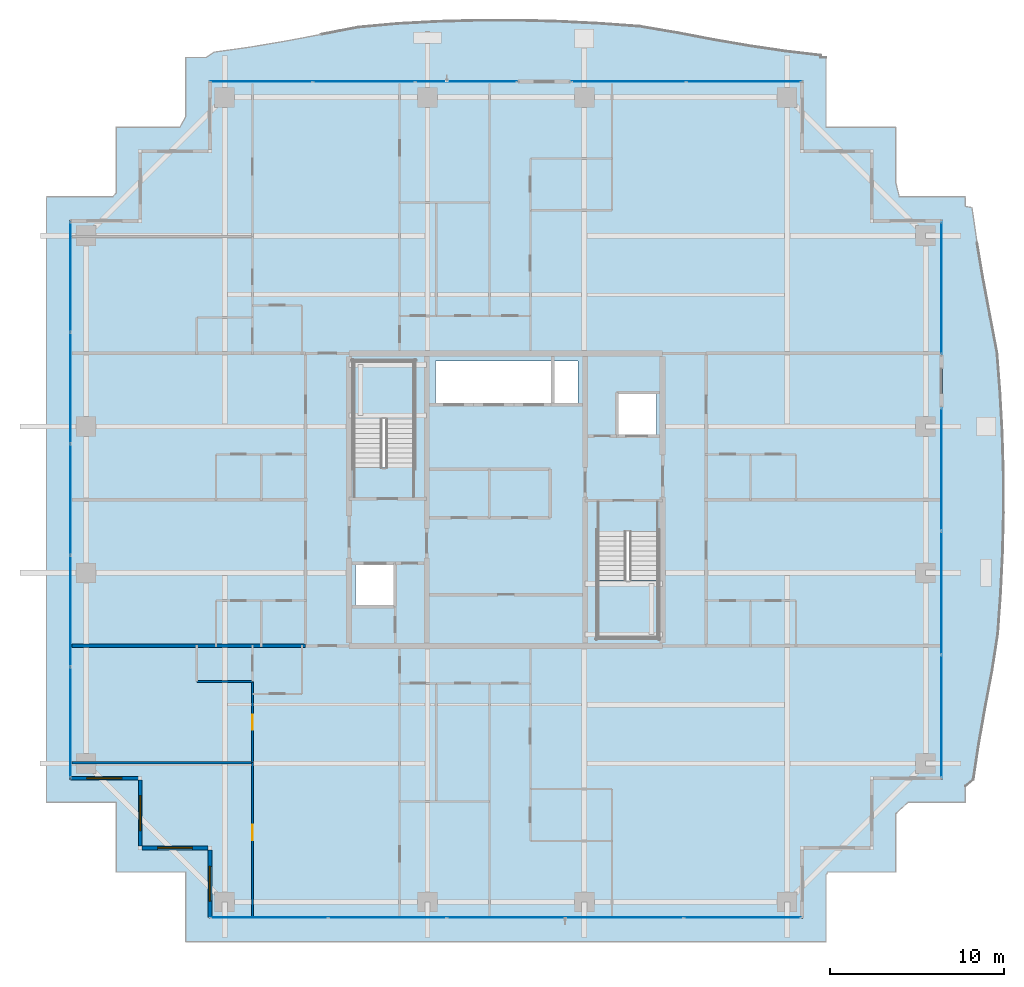
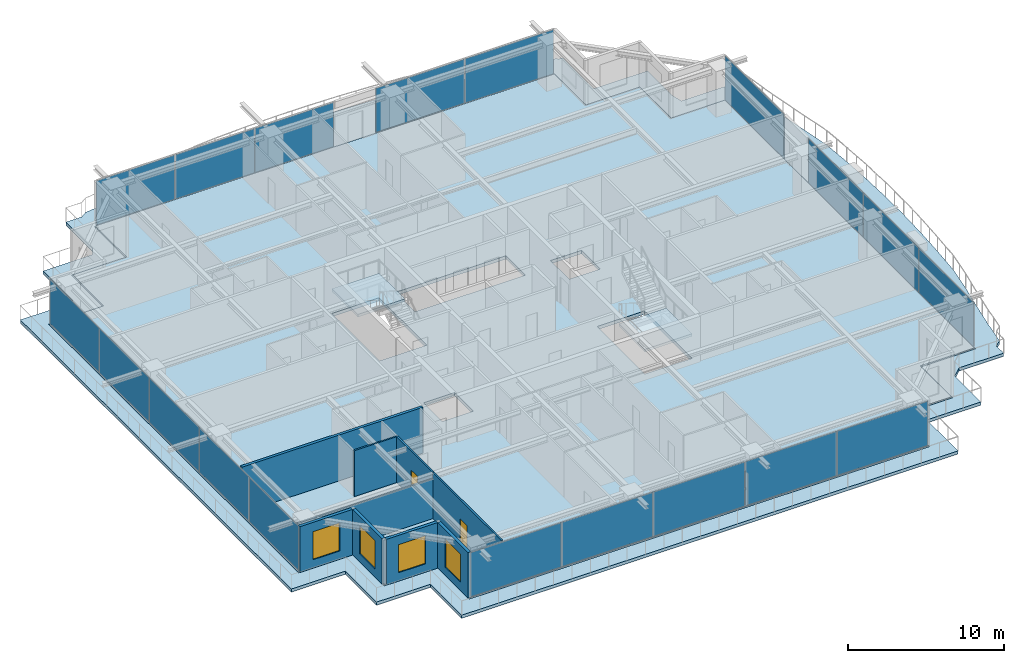
# One storey, part 25 of 38: 19 plates, 9 walls, 4 slabs, 4 windows, 2 doors, 6 openings, 8 elements without a shape of their own.
"""IFC4 building model written with IfcOpenShell, lengths in metres."""

from ifc_helpers import new_model, si_unit, direction, frame, frame_2d, origin, origin_2d, place, context, subcontext, project, spatial, polyline, rectangle, outline, extrude, source, transform, mapped, material, layer, layer_set, type_object, element, fill, aggregate, save


model = new_model("IFC4")

# Units and contexts
model_context = context("Model", 3, precision=1e-05, world=origin(), true_north=direction((0.0, 1.0)))
body_context = subcontext(model_context, "Body", "Model", "MODEL_VIEW")
ifc_project = project(units=[si_unit("LENGTHUNIT", "METRE"), si_unit("AREAUNIT", "SQUARE_METRE"), si_unit("VOLUMEUNIT", "CUBIC_METRE"), si_unit("PLANEANGLEUNIT", "RADIAN"), si_unit("MASSUNIT", "GRAM", prefix="KILO")], contexts=[model_context])

# Site, building, storey
site_placement = place(None, origin())
site = spatial("IfcSite", under=ifc_project, at=site_placement, CompositionType="ELEMENT")
building_placement = place(site_placement, origin())
building = spatial("IfcBuilding", under=site, at=building_placement, Name="Serunith Strait Residences", CompositionType="ELEMENT")
storey_placement = place(building_placement, frame((0.0, 0.0, 264.35009765625)))
storey = spatial("IfcBuildingStorey", under=building, at=storey_placement, Name="L66", CompositionType="ELEMENT", Elevation=264.35009765625)

# Slab
ifc_material_1 = material(Name="Concrete C50/60", Category="concrete")
ifc_layer_1 = layer(ifc_material_1, 0.239990234375, Name="Concrete C50/60")
ifc_layer_set_1 = layer_set([ifc_layer_1], Name="Concrete C50/60")
slab_type_1 = type_object("IfcSlabType", Name="SLB-BALC-240", PredefinedType="FLOOR", material=ifc_layer_set_1)
slab_1_placement = place(storey_placement, frame((0.0, 0.0, -0.2900390625)))
element("IfcSlab", 1, at=slab_1_placement, inside=storey, type_object=slab_type_1, Name="L66 Planted Vertical-Forest Balcony Slab", PredefinedType="FLOOR", context=body_context, shape_type="SweptSolid", body=[
    extrude(outline(polyline([(10.02001953125, 46.580078125), (13.67919921875, 46.580078125), (14.02001953125, 47.19873046875), (14.02001953125, 50.580078125), (15.189697265625, 50.580078125), (15.631103515625, 50.888427734375), (17.655029296875, 51.1728515625), (19.698974609375, 51.515625), (21.781982421875, 51.907470703125), (23.92431640625, 52.32177734375), (26.184814453125, 52.52734375), (28.492431640625, 52.648681640625), (30.82373046875, 52.712890625), (33.164306640625, 52.713623046875), (35.497802734375, 52.6513671875), (37.8095703125, 52.53271484375), (40.088623046875, 52.36962890625), (42.2626953125, 51.996826171875), (44.36181640625, 51.598388671875), (46.416748046875, 51.243896484375), (48.447021484375, 50.946533203125), (50.4677734375, 50.707275390625), (50.466796875, 50.580078125), (50.780029296875, 50.580078125), (50.780029296875, 46.580078125), (54.780029296875, 46.580078125), (54.780029296875, 43.41357421875), (54.985107421875, 42.580078125), (58.780029296875, 42.580078125), (58.780029296875, 42.030517578125), (59.156494140625, 41.96728515625), (59.4482421875, 39.941162109375), (59.795166015625, 37.89306640625), (60.186767578125, 35.80517578125), (60.596435546875, 33.658935546875), (60.770263671875, 31.394287109375), (60.8955078125, 29.094482421875), (60.965087890625, 26.77099609375), (60.972412109375, 24.43798828125), (60.916748046875, 22.110595703125), (60.8037109375, 19.80322265625), (60.64453125, 17.52685546875), (60.30810546875, 15.339111328125), (59.907958984375, 13.23388671875), (59.546142578125, 11.174560546875), (59.237548828125, 9.14208984375), (58.780029296875, 8.75634765625), (58.780029296875, 7.820068359375), (55.479736328125, 7.820068359375), (54.780029296875, 7.16748046875), (54.780029296875, 3.820068359375), (50.881103515625, 3.820068359375), (50.780029296875, 3.665283203125), (50.780029296875, -0.179931640625), (14.02001953125, -0.179931640625), (14.02001953125, 3.820068359375), (10.02001953125, 3.820068359375), (10.02001953125, 7.820068359375), (6.02001953125, 7.820068359375), (6.02001953125, 42.580078125), (9.824951171875, 42.580078125), (10.02001953125, 42.802001953125), (10.02001953125, 46.580078125)]), holes=[polyline([(49.455078125, 1.14501953125), (49.455078125, 5.14501953125), (53.455078125, 5.14501953125), (53.455078125, 9.14501953125), (57.455078125, 9.14501953125), (57.455078125, 41.2548828125), (53.455078125, 41.2548828125), (53.455078125, 45.2548828125), (49.455078125, 45.2548828125), (49.455078125, 49.2548828125), (15.344970703125, 49.2548828125), (15.344970703125, 45.2548828125), (11.344970703125, 45.2548828125), (11.344970703125, 41.2548828125), (7.344970703125, 41.2548828125), (7.344970703125, 9.14501953125), (11.344970703125, 9.14501953125), (11.344970703125, 5.14501953125), (15.344970703125, 5.14501953125), (15.344970703125, 1.14501953125), (49.455078125, 1.14501953125)])]), origin(), (0.0, 0.0, 1.0), 0.239990234375),
])

# Stair, slab
stair_type_1 = type_object("IfcStairType", Name="STR-CORE-1", PredefinedType="HALF_TURN_STAIR", material=ifc_material_1)
stair_1_placement = place(storey_placement, origin())
stair_1 = element("IfcStair", 2, at=stair_1_placement, inside=storey, type_object=stair_type_1, Name="L66 Protected Escape Stair ST-1", PredefinedType="HALF_TURN_STAIR")
ifc_layer_2 = layer(ifc_material_1, 0.199951171875, Name="Concrete C50/60")
ifc_layer_set_2 = layer_set([ifc_layer_2], Name="Concrete C50/60")
slab_type_2 = type_object("IfcSlabType", Name="SLB-LAND-200", PredefinedType="LANDING", material=ifc_layer_set_2)
slab_2_placement = place(storey_placement, frame((0.0, 0.0, 1.724853515625)))
slab_2 = element("IfcSlab", 3, at=slab_2_placement, type_object=slab_type_2, Name="ST-1 landing 1", PredefinedType="LANDING", context=body_context, shape_type="SweptSolid", body=[
    extrude(outline(polyline([(27.14990234375, 29.830078125), (27.14990234375, 33.14990234375), (23.64990234375, 33.14990234375), (23.64990234375, 29.830078125), (27.14990234375, 29.830078125)])), origin(), (0.0, 0.0, 1.0), 0.199951171875),
])
aggregate(stair_1, [slab_2])

stair_type_2 = type_object("IfcStairType", Name="STR-CORE-2", PredefinedType="HALF_TURN_STAIR", material=ifc_material_1)
stair_2_placement = place(storey_placement, origin())
stair_2 = element("IfcStair", 4, at=stair_2_placement, inside=storey, type_object=stair_type_2, Name="L66 Protected Escape Stair ST-2", PredefinedType="HALF_TURN_STAIR")
slab_3_placement = place(storey_placement, frame((0.0, 0.0, 1.724853515625)))
slab_3 = element("IfcSlab", 5, at=slab_3_placement, type_object=slab_type_2, Name="ST-2 landing 1", PredefinedType="LANDING", context=body_context, shape_type="SweptSolid", body=[
    extrude(outline(polyline([(37.64990234375, 20.570068359375), (37.64990234375, 17.25), (41.14990234375, 17.25), (41.14990234375, 20.570068359375), (37.64990234375, 20.570068359375)])), origin(), (0.0, 0.0, 1.0), 0.199951171875),
])
aggregate(stair_2, [slab_3])

# Slab
ifc_material_2 = material(Name="Concrete C60/75", Category="concrete")
ifc_layer_3 = layer(ifc_material_2, 0.260009765625, Name="Concrete C60/75")
ifc_layer_set_3 = layer_set([ifc_layer_3], Name="Concrete C60/75")
slab_type_3 = type_object("IfcSlabType", Name="SLB-TWR-275-Z3", PredefinedType="FLOOR", material=ifc_layer_set_3)
slab_4_placement = place(storey_placement, frame((0.0, 0.0, -0.260009765625)))
element("IfcSlab", 6, at=slab_4_placement, inside=storey, type_object=slab_type_3, Name="L66 Structural Floor Plate", PredefinedType="FLOOR", context=body_context, shape_type="SweptSolid", body=[
    extrude(outline(polyline([(15.39990234375, 5.199951171875), (11.39990234375, 5.199951171875), (11.39990234375, 9.199951171875), (7.39990234375, 9.199951171875), (7.39990234375, 41.199951171875), (11.39990234375, 41.199951171875), (11.39990234375, 45.199951171875), (15.39990234375, 45.199951171875), (15.39990234375, 49.199951171875), (49.39990234375, 49.199951171875), (49.39990234375, 45.199951171875), (53.39990234375, 45.199951171875), (53.39990234375, 41.199951171875), (57.39990234375, 41.199951171875), (57.39990234375, 9.199951171875), (53.39990234375, 9.199951171875), (53.39990234375, 5.199951171875), (49.39990234375, 5.199951171875), (49.39990234375, 1.199951171875), (15.39990234375, 1.199951171875), (15.39990234375, 5.199951171875)]), holes=[polyline([(41.14990234375, 23.3701171875), (37.64990234375, 23.3701171875), (37.64990234375, 17.25), (41.14990234375, 17.25), (41.14990234375, 23.3701171875)]), polyline([(38.75, 31.25), (38.75, 28.85009765625), (41.050048828125, 28.85009765625), (41.050048828125, 31.25), (38.75, 31.25)]), polyline([(36.550048828125, 33.14990234375), (28.35009765625, 33.14990234375), (28.35009765625, 30.64990234375), (36.550048828125, 30.64990234375), (36.550048828125, 33.14990234375)]), polyline([(23.64990234375, 33.14990234375), (23.64990234375, 27.030029296875), (27.14990234375, 27.030029296875), (27.14990234375, 33.14990234375), (23.64990234375, 33.14990234375)]), polyline([(23.75, 21.550048828125), (23.75, 19.14990234375), (26.050048828125, 19.14990234375), (26.050048828125, 21.550048828125), (23.75, 21.550048828125)])]), origin(), (0.0, 0.0, 1.0), 0.260009765625),
])

# Curtain wall, plates
ifc_material_3 = material(Name="Pale-Champagne Anodised Aluminium", Category="aluminium")
ifc_layer_4 = layer(ifc_material_3, 0.199951171875, Name="Pale-Champagne Anodised Aluminium")
ifc_layer_set_4 = layer_set([ifc_layer_4], Name="Pale-Champagne Anodised Aluminium")
curtain_wall_type = type_object("IfcCurtainWallType", Name="CW-SYS4", PredefinedType="NOTDEFINED", material=ifc_layer_set_4)
curtain_wall_1_placement = place(storey_placement, origin())
curtain_wall_1 = element("IfcCurtainWall", 7, at=curtain_wall_1_placement, inside=storey, type_object=curtain_wall_type, Name="L66 W Unitised Fritted Curtain Wall", PredefinedType="NOTDEFINED")
ifc_material_4 = material(Name="Ceramic-Printed Solar-Control Glazing 28mm", Category="glass")
ifc_layer_5 = layer(ifc_material_4, 0.028076171875, Name="Ceramic-Printed Solar-Control Glazing 28mm")
ifc_layer_set_5 = layer_set([ifc_layer_5], Name="Ceramic-Printed Solar-Control Glazing 28mm")
plate_type = type_object("IfcPlateType", Name="CW-SYS4-PNL", PredefinedType="CURTAIN_PANEL", material=ifc_layer_set_5)
shared_shape_1 = source(origin(), body_context, "Body", "SweptSolid", [
    extrude(rectangle(XDim=6.302490234375, YDim=0.028076171875, at=origin_2d()), origin(), (0.0, 0.0, 1.0), 3.455078125),
])
plate_1_placement = place(storey_placement, frame((7.39990234375, 37.983642578125, 0.059814453125), z_axis=(0.0, 0.0, 1.0), x_axis=(0.0, -1.0, 0.0)))
plate_1 = element("IfcPlate", 8, at=plate_1_placement, type_object=plate_type, Name="CW-4 panel 1.1", PredefinedType="CURTAIN_PANEL", context=body_context, shape_type="MappedRepresentation", body=[
    mapped(shared_shape_1, transform((0.0, 0.0, 0.0), scale=1.0)),
])
plate_2_placement = place(storey_placement, frame((7.39990234375, 12.416259765625, 0.059814453125), z_axis=(0.0, 0.0, 1.0), x_axis=(0.0, -1.0, 0.0)))
plate_2 = element("IfcPlate", 9, at=plate_2_placement, type_object=plate_type, Name="CW-4 panel 5.1", PredefinedType="CURTAIN_PANEL", context=body_context, shape_type="MappedRepresentation", body=[
    mapped(shared_shape_1, transform((0.0, 0.0, 0.0), scale=1.0)),
])
shared_shape_2 = source(origin(), body_context, "Body", "SweptSolid", [
    extrude(rectangle(XDim=6.3349609375, YDim=0.028076171875, at=origin_2d()), origin(), (0.0, 0.0, 1.0), 3.455078125),
])
plate_3_placement = place(storey_placement, frame((7.39990234375, 31.60009765625, 0.059814453125), z_axis=(0.0, 0.0, 1.0), x_axis=(0.0, -1.0, 0.0)))
plate_3 = element("IfcPlate", 10, at=plate_3_placement, type_object=plate_type, Name="CW-4 panel 2.1", PredefinedType="CURTAIN_PANEL", context=body_context, shape_type="MappedRepresentation", body=[
    mapped(shared_shape_2, transform((0.0, 0.0, 0.0), scale=1.0)),
])
plate_4_placement = place(storey_placement, frame((7.39990234375, 25.199951171875, 0.059814453125), z_axis=(0.0, 0.0, 1.0), x_axis=(0.0, -1.0, 0.0)))
plate_4 = element("IfcPlate", 11, at=plate_4_placement, type_object=plate_type, Name="CW-4 panel 3.1", PredefinedType="CURTAIN_PANEL", context=body_context, shape_type="MappedRepresentation", body=[
    mapped(shared_shape_2, transform((0.0, 0.0, 0.0), scale=1.0)),
])
plate_5_placement = place(storey_placement, frame((7.39990234375, 18.800048828125, 0.059814453125), z_axis=(0.0, 0.0, 1.0), x_axis=(0.0, -1.0, 0.0)))
plate_5 = element("IfcPlate", 12, at=plate_5_placement, type_object=plate_type, Name="CW-4 panel 4.1", PredefinedType="CURTAIN_PANEL", context=body_context, shape_type="MappedRepresentation", body=[
    mapped(shared_shape_2, transform((0.0, 0.0, 0.0), scale=1.0)),
])
aggregate(curtain_wall_1, [plate_1, plate_3, plate_4, plate_5, plate_2])

curtain_wall_2_placement = place(storey_placement, origin())
curtain_wall_2 = element("IfcCurtainWall", 13, at=curtain_wall_2_placement, inside=storey, type_object=curtain_wall_type, Name="L66 S Unitised Fritted Curtain Wall", PredefinedType="NOTDEFINED")
shared_shape_3 = source(origin(), body_context, "Body", "SweptSolid", [
    extrude(rectangle(XDim=6.702392578125, YDim=0.028076171875, at=origin_2d()), origin(), (0.0, 0.0, 1.0), 3.455078125),
])
plate_6_placement = place(storey_placement, frame((18.816162109375, 1.199951171875, 0.059814453125), z_axis=(0.0, 0.0, 1.0), x_axis=(1.0, 0.0, 0.0)))
plate_6 = element("IfcPlate", 14, at=plate_6_placement, type_object=plate_type, Name="CW-4 panel 1.1", PredefinedType="CURTAIN_PANEL", context=body_context, shape_type="MappedRepresentation", body=[
    mapped(shared_shape_3, transform((0.0, 0.0, 0.0), scale=1.0)),
])
plate_7_placement = place(storey_placement, frame((45.983642578125, 1.199951171875, 0.059814453125), z_axis=(0.0, 0.0, 1.0), x_axis=(1.0, 0.0, 0.0)))
plate_7 = element("IfcPlate", 15, at=plate_7_placement, type_object=plate_type, Name="CW-4 panel 5.1", PredefinedType="CURTAIN_PANEL", context=body_context, shape_type="MappedRepresentation", body=[
    mapped(shared_shape_3, transform((0.0, 0.0, 0.0), scale=1.0)),
])
shared_shape_4 = source(origin(), body_context, "Body", "SweptSolid", [
    extrude(rectangle(XDim=6.735107421875, YDim=0.028076171875, at=origin_2d()), origin(), (0.0, 0.0, 1.0), 3.455078125),
])
plate_8_placement = place(storey_placement, frame((25.60009765625, 1.199951171875, 0.059814453125), z_axis=(0.0, 0.0, 1.0), x_axis=(1.0, 0.0, 0.0)))
plate_8 = element("IfcPlate", 16, at=plate_8_placement, type_object=plate_type, Name="CW-4 panel 2.1", PredefinedType="CURTAIN_PANEL", context=body_context, shape_type="MappedRepresentation", body=[
    mapped(shared_shape_4, transform((0.0, 0.0, 0.0), scale=1.0)),
])
plate_9_placement = place(storey_placement, frame((32.39990234375, 1.199951171875, 0.059814453125), z_axis=(0.0, 0.0, 1.0), x_axis=(1.0, 0.0, 0.0)))
plate_9 = element("IfcPlate", 17, at=plate_9_placement, type_object=plate_type, Name="CW-4 panel 3.1", PredefinedType="CURTAIN_PANEL", context=body_context, shape_type="MappedRepresentation", body=[
    mapped(shared_shape_4, transform((0.0, 0.0, 0.0), scale=1.0)),
])
plate_10_placement = place(storey_placement, frame((39.199951171875, 1.199951171875, 0.059814453125), z_axis=(0.0, 0.0, 1.0), x_axis=(1.0, 0.0, 0.0)))
plate_10 = element("IfcPlate", 18, at=plate_10_placement, type_object=plate_type, Name="CW-4 panel 4.1", PredefinedType="CURTAIN_PANEL", context=body_context, shape_type="MappedRepresentation", body=[
    mapped(shared_shape_4, transform((0.0, 0.0, 0.0), scale=1.0)),
])
aggregate(curtain_wall_2, [plate_6, plate_8, plate_9, plate_10, plate_7])

curtain_wall_3_placement = place(storey_placement, origin())
curtain_wall_3 = element("IfcCurtainWall", 19, at=curtain_wall_3_placement, inside=storey, type_object=curtain_wall_type, Name="L66 N Unitised Fritted Curtain Wall", PredefinedType="NOTDEFINED")
shared_shape_5 = source(origin(), body_context, "Body", "SweptSolid", [
    extrude(rectangle(XDim=6.552490234375, YDim=0.028076171875, at=origin_2d()), origin(), (0.0, 0.0, 1.0), 3.455078125),
])
plate_11_placement = place(storey_placement, frame((46.058837890625, 49.199951171875, 0.059814453125), z_axis=(0.0, 0.0, 1.0), x_axis=(-1.0, 0.0, 0.0)))
plate_11 = element("IfcPlate", 20, at=plate_11_placement, type_object=plate_type, Name="CW-4 panel 1.1", PredefinedType="CURTAIN_PANEL", context=body_context, shape_type="MappedRepresentation", body=[
    mapped(shared_shape_5, transform((0.0, 0.0, 0.0), scale=1.0)),
])
plate_12_placement = place(storey_placement, frame((39.441162109375, 49.199951171875, 0.059814453125), z_axis=(0.0, 0.0, 1.0), x_axis=(-1.0, 0.0, 0.0)))
plate_12 = element("IfcPlate", 21, at=plate_12_placement, type_object=plate_type, Name="CW-4 panel 2.1", PredefinedType="CURTAIN_PANEL", context=body_context, shape_type="MappedRepresentation", body=[
    mapped(shared_shape_5, transform((0.0, 0.0, 0.0), scale=1.0)),
])
aggregate(curtain_wall_3, [plate_11, plate_12])

curtain_wall_4_placement = place(storey_placement, origin())
curtain_wall_4 = element("IfcCurtainWall", 22, at=curtain_wall_4_placement, inside=storey, type_object=curtain_wall_type, Name="L66 N Unitised Fritted Curtain Wall", PredefinedType="NOTDEFINED")
shared_shape_6 = source(origin(), body_context, "Body", "SweptSolid", [
    extrude(rectangle(XDim=5.802490234375, YDim=0.028076171875, at=origin_2d()), origin(), (0.0, 0.0, 1.0), 3.455078125),
])
plate_13_placement = place(storey_placement, frame((30.1337890625, 49.199951171875, 0.059814453125), z_axis=(0.0, 0.0, 1.0), x_axis=(-1.0, 0.0, 0.0)))
plate_13 = element("IfcPlate", 23, at=plate_13_placement, type_object=plate_type, Name="CW-4 panel 1.1", PredefinedType="CURTAIN_PANEL", context=body_context, shape_type="MappedRepresentation", body=[
    mapped(shared_shape_6, transform((0.0, 0.0, 0.0), scale=1.0)),
])
plate_14_placement = place(storey_placement, frame((18.3662109375, 49.199951171875, 0.059814453125), z_axis=(0.0, 0.0, 1.0), x_axis=(-1.0, 0.0, 0.0)))
plate_14 = element("IfcPlate", 24, at=plate_14_placement, type_object=plate_type, Name="CW-4 panel 3.1", PredefinedType="CURTAIN_PANEL", context=body_context, shape_type="MappedRepresentation", body=[
    mapped(shared_shape_6, transform((0.0, 0.0, 0.0), scale=1.0)),
])
shared_shape_7 = source(origin(), body_context, "Body", "SweptSolid", [
    extrude(rectangle(XDim=5.8349609375, YDim=0.028076171875, at=origin_2d()), origin(), (0.0, 0.0, 1.0), 3.455078125),
])
plate_15_placement = place(storey_placement, frame((24.25, 49.199951171875, 0.059814453125), z_axis=(0.0, 0.0, 1.0), x_axis=(-1.0, 0.0, 0.0)))
plate_15 = element("IfcPlate", 25, at=plate_15_placement, type_object=plate_type, Name="CW-4 panel 2.1", PredefinedType="CURTAIN_PANEL", context=body_context, shape_type="MappedRepresentation", body=[
    mapped(shared_shape_7, transform((0.0, 0.0, 0.0), scale=1.0)),
])
aggregate(curtain_wall_4, [plate_13, plate_15, plate_14])

curtain_wall_5_placement = place(storey_placement, origin())
curtain_wall_5 = element("IfcCurtainWall", 26, at=curtain_wall_5_placement, inside=storey, type_object=curtain_wall_type, Name="L66 E Unitised Fritted Curtain Wall", PredefinedType="NOTDEFINED")
shared_shape_8 = source(origin(), body_context, "Body", "SweptSolid", [
    extrude(rectangle(XDim=7.00244140625, YDim=0.028076171875, at=origin_2d()), origin(), (0.0, 0.0, 1.0), 3.455078125),
])
plate_16_placement = place(storey_placement, frame((57.39990234375, 12.766357421875, 0.059814453125), z_axis=(0.0, 0.0, 1.0), x_axis=(0.0, 1.0, 0.0)))
plate_16 = element("IfcPlate", 27, at=plate_16_placement, type_object=plate_type, Name="CW-4 panel 1.1", PredefinedType="CURTAIN_PANEL", context=body_context, shape_type="MappedRepresentation", body=[
    mapped(shared_shape_8, transform((0.0, 0.0, 0.0), scale=1.0)),
])
plate_17_placement = place(storey_placement, frame((57.39990234375, 26.933837890625, 0.059814453125), z_axis=(0.0, 0.0, 1.0), x_axis=(0.0, 1.0, 0.0)))
plate_17 = element("IfcPlate", 28, at=plate_17_placement, type_object=plate_type, Name="CW-4 panel 3.1", PredefinedType="CURTAIN_PANEL", context=body_context, shape_type="MappedRepresentation", body=[
    mapped(shared_shape_8, transform((0.0, 0.0, 0.0), scale=1.0)),
])
shared_shape_9 = source(origin(), body_context, "Body", "SweptSolid", [
    extrude(rectangle(XDim=7.034912109375, YDim=0.028076171875, at=origin_2d()), origin(), (0.0, 0.0, 1.0), 3.455078125),
])
plate_18_placement = place(storey_placement, frame((57.39990234375, 19.85009765625, 0.059814453125), z_axis=(0.0, 0.0, 1.0), x_axis=(0.0, 1.0, 0.0)))
plate_18 = element("IfcPlate", 29, at=plate_18_placement, type_object=plate_type, Name="CW-4 panel 2.1", PredefinedType="CURTAIN_PANEL", context=body_context, shape_type="MappedRepresentation", body=[
    mapped(shared_shape_9, transform((0.0, 0.0, 0.0), scale=1.0)),
])
aggregate(curtain_wall_5, [plate_16, plate_18, plate_17])

# Curtain wall, plate
curtain_wall_6_placement = place(storey_placement, origin())
curtain_wall_6 = element("IfcCurtainWall", 30, at=curtain_wall_6_placement, inside=storey, type_object=curtain_wall_type, Name="L66 E Unitised Fritted Curtain Wall", PredefinedType="NOTDEFINED")
shared_shape_10 = source(origin(), body_context, "Body", "SweptSolid", [
    extrude(rectangle(XDim=7.570068359375, YDim=0.028076171875, at=origin_2d()), origin(), (0.0, 0.0, 1.0), 3.455078125),
])
plate_19_placement = place(storey_placement, frame((57.39990234375, 37.35009765625, 0.059814453125), z_axis=(0.0, 0.0, 1.0), x_axis=(0.0, 1.0, 0.0)))
plate_19 = element("IfcPlate", 31, at=plate_19_placement, type_object=plate_type, Name="CW-4 panel 1.1", PredefinedType="CURTAIN_PANEL", context=body_context, shape_type="MappedRepresentation", body=[
    mapped(shared_shape_10, transform((0.0, 0.0, 0.0), scale=1.0)),
])
aggregate(curtain_wall_6, [plate_19])

# Wall, opening, window
ifc_material_5 = material(Name="Pale-Champagne Aluminium Insulated Panel", Category="aluminium")
ifc_layer_6 = layer(ifc_material_5, 0.219970703125, Name="Pale-Champagne Aluminium Insulated Panel")
ifc_layer_set_6 = layer_set([ifc_layer_6], Name="Pale-Champagne Aluminium Insulated Panel")
wall_type_1 = type_object("IfcWallType", Name="EW-ALUM-220", PredefinedType="ELEMENTEDWALL", material=ifc_layer_set_6)
wall_1_placement = place(storey_placement, frame((7.39990234375, 9.199951171875, 0.0), z_axis=(0.0, 0.0, 1.0), x_axis=(1.0, 0.0, 0.0)))
wall_1 = element("IfcWall", 32, at=wall_1_placement, inside=storey, type_object=wall_type_1, Name="L66 Girih Serrated Corner Wall 17", PredefinedType="ELEMENTEDWALL", context=body_context, shape_type="SweptSolid", body=[
    extrude(rectangle(XDim=3.89013671875, YDim=0.219970703125, at=frame_2d((1.945068359375, 0.0))), origin(), (0.0, 0.0, 1.0), 3.574951171875),
])
opening_1_placement = place(wall_1_placement, frame((0.945068359375, 0.0, 0.64990234375)))
opening_1 = element("IfcOpeningElement", 33, at=opening_1_placement, cuts=wall_1, Name="Opening W-04", PredefinedType="OPENING", context=body_context, shape_type="SweptSolid", body=[
    extrude(rectangle(XDim=2.0, YDim=2.199951171875, at=frame_2d((1.0, 1.10009765625))), frame((0.0, 0.1201171875, 0.0), z_axis=(0.0, -1.0, 0.0), x_axis=(1.0, 0.0, 0.0)), (0.0, 0.0, 1.0), 0.239990234375),
])
ifc_material_6 = material(Name="Ceramic-Fritted Operable Aluminium Window Glass", Category="aluminium")
window_type = type_object("IfcWindowType", Name="WIN-C4", PartitioningType="TRIPLE_PANEL_VERTICAL", PredefinedType="WINDOW", material=ifc_material_6)
shared_shape_11 = source(origin(), body_context, "Body", "SweptSolid", [
    extrude(rectangle(XDim=2.0, YDim=2.199951171875, at=frame_2d((1.0, 1.10009765625))), frame((0.0, 0.030029296875, 0.0), z_axis=(0.0, -1.0, 0.0), x_axis=(1.0, 0.0, 0.0)), (0.0, 0.0, 1.0), 0.06005859375),
])
window_1_placement = place(opening_1_placement, origin())
window_1 = element("IfcWindow", 34, at=window_1_placement, inside=storey, type_object=window_type, Name="L66 Corner Operable Fritted Window 17", OverallHeight=2.199951171875, OverallWidth=2.0, PartitioningType="SINGLE_PANEL", PredefinedType="WINDOW", context=body_context, shape_type="MappedRepresentation", body=[
    mapped(shared_shape_11, transform((0.0, 0.0, 0.0), scale=1.0)),
])
fill(opening_1, window_1)

wall_2_placement = place(storey_placement, frame((11.39990234375, 9.090087890625, 0.0), z_axis=(0.0, 0.0, 1.0), x_axis=(0.0, -1.0, 0.0)))
wall_2 = element("IfcWall", 35, at=wall_2_placement, inside=storey, type_object=wall_type_1, Name="L66 Girih Serrated Corner Wall 18", PredefinedType="ELEMENTEDWALL", context=body_context, shape_type="SweptSolid", body=[
    extrude(rectangle(XDim=3.780029296875, YDim=0.219970703125, at=frame_2d((1.89013671875, 0.0))), origin(), (0.0, 0.0, 1.0), 3.574951171875),
])
opening_2_placement = place(wall_2_placement, frame((0.889892578125, 0.0, 0.64990234375)))
opening_2 = element("IfcOpeningElement", 36, at=opening_2_placement, cuts=wall_2, Name="Opening W-04", PredefinedType="OPENING", context=body_context, shape_type="SweptSolid", body=[
    extrude(rectangle(XDim=2.0, YDim=2.199951171875, at=frame_2d((1.0, 1.10009765625))), frame((0.0, 0.1201171875, 0.0), z_axis=(0.0, -1.0, 0.0), x_axis=(1.0, 0.0, 0.0)), (0.0, 0.0, 1.0), 0.239990234375),
])
window_2_placement = place(opening_2_placement, origin())
window_2 = element("IfcWindow", 37, at=window_2_placement, inside=storey, type_object=window_type, Name="L66 Corner Operable Fritted Window 18", OverallHeight=2.199951171875, OverallWidth=2.0, PartitioningType="SINGLE_PANEL", PredefinedType="WINDOW", context=body_context, shape_type="MappedRepresentation", body=[
    mapped(shared_shape_11, transform((0.0, 0.0, 0.0), scale=1.0)),
])
fill(opening_2, window_2)

wall_3_placement = place(storey_placement, frame((11.510009765625, 5.199951171875, 0.0), z_axis=(0.0, 0.0, 1.0), x_axis=(1.0, 0.0, 0.0)))
wall_3 = element("IfcWall", 38, at=wall_3_placement, inside=storey, type_object=wall_type_1, Name="L66 Girih Serrated Corner Wall 19", PredefinedType="ELEMENTEDWALL", context=body_context, shape_type="SweptSolid", body=[
    extrude(rectangle(XDim=3.780029296875, YDim=0.219970703125, at=frame_2d((1.89013671875, 0.0))), origin(), (0.0, 0.0, 1.0), 3.574951171875),
])
opening_3_placement = place(wall_3_placement, frame((0.889892578125, 0.0, 0.64990234375)))
opening_3 = element("IfcOpeningElement", 39, at=opening_3_placement, cuts=wall_3, Name="Opening W-04", PredefinedType="OPENING", context=body_context, shape_type="SweptSolid", body=[
    extrude(rectangle(XDim=2.0, YDim=2.199951171875, at=frame_2d((1.0, 1.10009765625))), frame((0.0, 0.1201171875, 0.0), z_axis=(0.0, -1.0, 0.0), x_axis=(1.0, 0.0, 0.0)), (0.0, 0.0, 1.0), 0.239990234375),
])
window_3_placement = place(opening_3_placement, origin())
window_3 = element("IfcWindow", 40, at=window_3_placement, inside=storey, type_object=window_type, Name="L66 Corner Operable Fritted Window 19", OverallHeight=2.199951171875, OverallWidth=2.0, PartitioningType="SINGLE_PANEL", PredefinedType="WINDOW", context=body_context, shape_type="MappedRepresentation", body=[
    mapped(shared_shape_11, transform((0.0, 0.0, 0.0), scale=1.0)),
])
fill(opening_3, window_3)

wall_4_placement = place(storey_placement, frame((15.39990234375, 5.090087890625, 0.0), z_axis=(0.0, 0.0, 1.0), x_axis=(0.0, -1.0, 0.0)))
wall_4 = element("IfcWall", 41, at=wall_4_placement, inside=storey, type_object=wall_type_1, Name="L66 Girih Serrated Corner Wall 20", PredefinedType="ELEMENTEDWALL", context=body_context, shape_type="SweptSolid", body=[
    extrude(rectangle(XDim=3.89013671875, YDim=0.219970703125, at=frame_2d((1.945068359375, 0.0))), origin(), (0.0, 0.0, 1.0), 3.574951171875),
])
opening_4_placement = place(wall_4_placement, frame((0.945068359375, 0.0, 0.64990234375)))
opening_4 = element("IfcOpeningElement", 42, at=opening_4_placement, cuts=wall_4, Name="Opening W-04", PredefinedType="OPENING", context=body_context, shape_type="SweptSolid", body=[
    extrude(rectangle(XDim=2.0, YDim=2.199951171875, at=frame_2d((1.0, 1.10009765625))), frame((0.0, 0.1201171875, 0.0), z_axis=(0.0, -1.0, 0.0), x_axis=(1.0, 0.0, 0.0)), (0.0, 0.0, 1.0), 0.239990234375),
])
window_4_placement = place(opening_4_placement, origin())
window_4 = element("IfcWindow", 43, at=window_4_placement, inside=storey, type_object=window_type, Name="L66 Corner Operable Fritted Window 20", OverallHeight=2.199951171875, OverallWidth=2.0, PartitioningType="SINGLE_PANEL", PredefinedType="WINDOW", context=body_context, shape_type="MappedRepresentation", body=[
    mapped(shared_shape_11, transform((0.0, 0.0, 0.0), scale=1.0)),
])
fill(opening_4, window_4)

# Wall, opening, door
ifc_material_7 = material(Name="Lightweight steel-stud gypsum partition", Category="steel")
ifc_layer_7 = layer(ifc_material_7, 0.1201171875, Name="Lightweight steel-stud gypsum partition")
ifc_layer_set_7 = layer_set([ifc_layer_7], Name="Lightweight steel-stud gypsum partition")
wall_type_2 = type_object("IfcWallType", Name="IW-PART-120", PredefinedType="PARTITIONING", material=ifc_layer_set_7)
wall_5_placement = place(storey_placement, frame((17.85009765625, 1.294921875, 0.0), z_axis=(0.0, 0.0, 1.0), x_axis=(0.0, 1.0, 0.0)))
wall_5 = element("IfcWall", 44, at=wall_5_placement, inside=storey, type_object=wall_type_2, Name="L66 Partition Wall 032", PredefinedType="PARTITIONING", context=body_context, shape_type="SweptSolid", body=[
    extrude(rectangle(XDim=8.799072265625, YDim=0.1201171875, at=frame_2d((4.3994140625, 0.0))), origin(), (0.0, 0.0, 1.0), 3.58984375),
])
opening_5_placement = place(wall_5_placement, frame((4.343994140625, 0.0, 0.0)))
opening_5 = element("IfcOpeningElement", 45, at=opening_5_placement, cuts=wall_5, Name="Opening D-RM900", PredefinedType="OPENING", context=body_context, shape_type="SweptSolid", body=[
    extrude(rectangle(XDim=0.89990234375, YDim=2.10009765625, at=frame_2d((0.449951171875, 1.050048828125))), frame((0.0, 0.070068359375, 0.0), z_axis=(0.0, -1.0, 0.0), x_axis=(1.0, 0.0, 0.0)), (0.0, 0.0, 1.0), 0.14013671875),
])
ifc_material_8 = material(Name="Engineered timber flush bedroom door", Category="wood")
door_type_1 = type_object("IfcDoorType", Name="ID-ROOM-900", OperationType="NOTDEFINED", PredefinedType="DOOR", material=ifc_material_8)
shared_shape_12 = source(origin(), body_context, "Body", "SweptSolid", [
    extrude(rectangle(XDim=0.89990234375, YDim=2.10009765625, at=frame_2d((0.449951171875, 1.050048828125))), frame((0.0, 0.02490234375, 0.0), z_axis=(0.0, -1.0, 0.0), x_axis=(1.0, 0.0, 0.0)), (0.0, 0.0, 1.0), 0.050048828125),
])
door_1_placement = place(opening_5_placement, origin())
door_1 = element("IfcDoor", 46, at=door_1_placement, inside=storey, type_object=door_type_1, Name="L66 Master Bedroom 1 6601 Door", OperationType="SINGLE_SWING_LEFT", OverallHeight=2.10009765625, OverallWidth=0.89990234375, PredefinedType="DOOR", context=body_context, shape_type="MappedRepresentation", body=[
    mapped(shared_shape_12, transform((0.0, 0.0, 0.0), scale=1.0)),
])
fill(opening_5, door_1)

# Walls
wall_6_placement = place(storey_placement, frame((7.4951171875, 10.093994140625, 0.0), z_axis=(0.0, 0.0, 1.0), x_axis=(1.0, 0.0, 0.0)))
element("IfcWall", 47, at=wall_6_placement, inside=storey, type_object=wall_type_2, Name="L66 Partition Wall 033", PredefinedType="PARTITIONING", context=body_context, shape_type="SweptSolid", body=[
    extrude(rectangle(XDim=10.35498046875, YDim=0.1201171875, at=frame_2d((5.177490234375, 0.0))), origin(), (0.0, 0.0, 1.0), 3.121826171875),
])
wall_7_placement = place(storey_placement, frame((14.64990234375, 14.75, 0.0), z_axis=(0.0, 0.0, 1.0), x_axis=(1.0, 0.0, 0.0)))
element("IfcWall", 48, at=wall_7_placement, inside=storey, type_object=wall_type_2, Name="L66 Partition Wall 034", PredefinedType="PARTITIONING", context=body_context, shape_type="SweptSolid", body=[
    extrude(rectangle(XDim=3.2001953125, YDim=0.1201171875, at=frame_2d((1.60009765625, 0.0))), origin(), (0.0, 0.0, 1.0), 3.58984375),
])

# Wall, opening, door
wall_8_placement = place(storey_placement, frame((17.85009765625, 10.095947265625, 0.0), z_axis=(0.0, 0.0, 1.0), x_axis=(0.0, 1.0, 0.0)))
wall_8 = element("IfcWall", 49, at=wall_8_placement, inside=storey, type_object=wall_type_2, Name="L66 Partition Wall 036", PredefinedType="PARTITIONING", context=body_context, shape_type="SweptSolid", body=[
    extrude(rectangle(XDim=4.654052734375, YDim=0.1201171875, at=frame_2d((2.3271484375, 0.0))), origin(), (0.0, 0.0, 1.0), 3.58984375),
])
opening_6_placement = place(wall_8_placement, frame((1.902099609375, 0.0, 0.0)))
opening_6 = element("IfcOpeningElement", 50, at=opening_6_placement, cuts=wall_8, Name="Opening D-RM850", PredefinedType="OPENING", context=body_context, shape_type="SweptSolid", body=[
    extrude(rectangle(XDim=0.85009765625, YDim=2.10009765625, at=frame_2d((0.425048828125, 1.050048828125))), frame((0.0, 0.070068359375, 0.0), z_axis=(0.0, -1.0, 0.0), x_axis=(1.0, 0.0, 0.0)), (0.0, 0.0, 1.0), 0.14013671875),
])
ifc_material_9 = material(Name="Engineered timber flush study and kitchen door", Category="wood")
door_type_2 = type_object("IfcDoorType", Name="ID-ROOM-850", OperationType="NOTDEFINED", PredefinedType="DOOR", material=ifc_material_9)
shared_shape_13 = source(origin(), body_context, "Body", "SweptSolid", [
    extrude(rectangle(XDim=0.85009765625, YDim=2.10009765625, at=frame_2d((0.425048828125, 1.050048828125))), frame((0.0, 0.02490234375, 0.0), z_axis=(0.0, -1.0, 0.0), x_axis=(1.0, 0.0, 0.0)), (0.0, 0.0, 1.0), 0.050048828125),
])
door_2_placement = place(opening_6_placement, origin())
door_2 = element("IfcDoor", 51, at=door_2_placement, inside=storey, type_object=door_type_2, Name="L66 Walk-in Wardrobe 6601 Door", OperationType="SINGLE_SWING_RIGHT", OverallHeight=2.10009765625, OverallWidth=0.85009765625, PredefinedType="DOOR", context=body_context, shape_type="MappedRepresentation", body=[
    mapped(shared_shape_13, transform((0.0, 0.0, 0.0), scale=1.0)),
])
fill(opening_6, door_2)

# Wall
ifc_material_10 = material(Name="Twin-stud acoustic gypsum board partition")
ifc_layer_8 = layer(ifc_material_10, 0.199951171875, Name="Twin-stud acoustic gypsum board partition")
ifc_layer_set_8 = layer_set([ifc_layer_8], Name="Twin-stud acoustic gypsum board partition")
wall_type_3 = type_object("IfcWallType", Name="IW-PARTY-200", PredefinedType="PARTITIONING", material=ifc_layer_set_8)
wall_9_placement = place(storey_placement, frame((7.48193359375, 16.800048828125, 0.0), z_axis=(0.0, 0.0, 1.0), x_axis=(1.0, 0.0, 0.0)))
element("IfcWall", 52, at=wall_9_placement, inside=storey, type_object=wall_type_3, Name="L66 Partition Wall 020", PredefinedType="PARTITIONING", context=body_context, shape_type="SweptSolid", body=[
    extrude(rectangle(XDim=13.41796875, YDim=0.199951171875, at=frame_2d((6.708984375, 0.0))), origin(), (0.0, 0.0, 1.0), 3.58984375),
])

save(model, "model.ifc")
